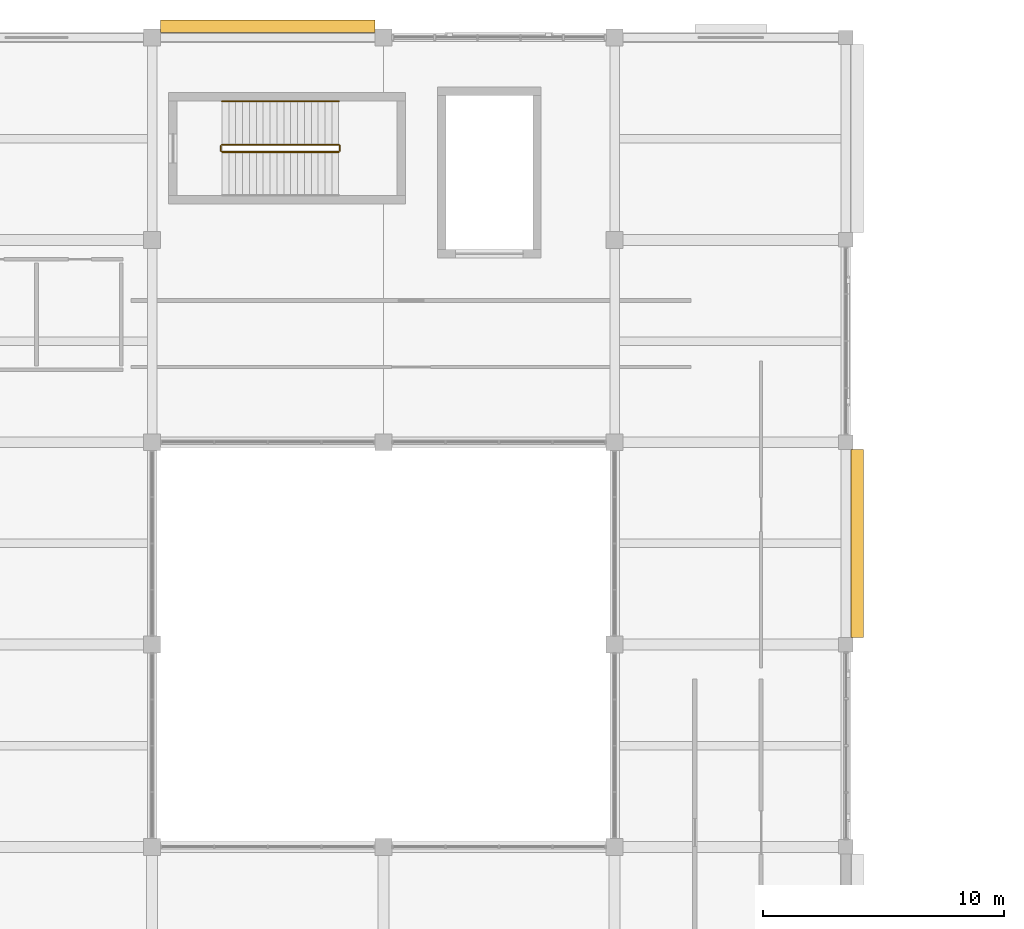
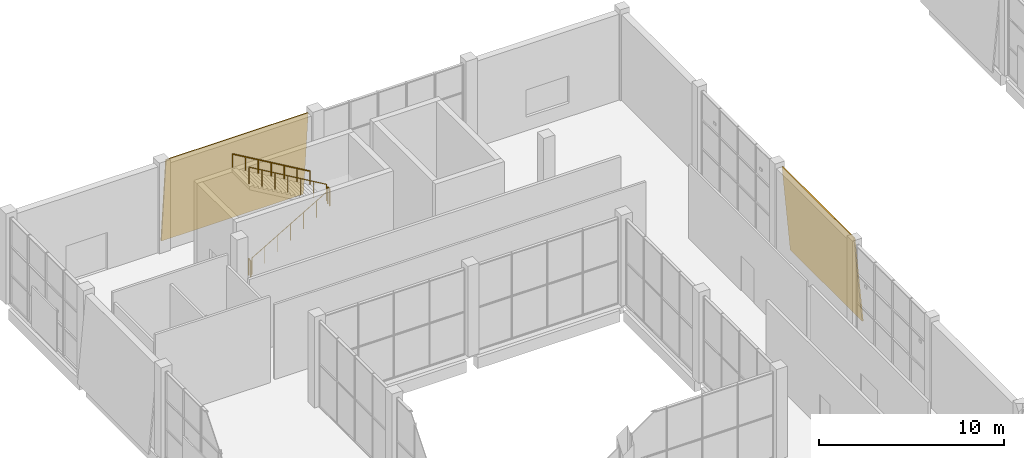
# One storey, part 76 of 84: 5 railings, 2 coverings.
"""IFC4 building model written with IfcOpenShell, lengths in metres."""

from ifc_helpers import new_model, si_unit, direction, frame, origin, origin_2d, place, context, subcontext, project, spatial, polyline, circle, outline, extrude, material, layer, layer_set, type_object, element, save


model = new_model("IFC4")

# Units and contexts
model_context = context("Model", 3, precision=1e-05, world=origin(), true_north=direction((0.0, 1.0)))
body_context = subcontext(model_context, "Body", "Model", "MODEL_VIEW")
ifc_project = project(units=[si_unit("LENGTHUNIT", "METRE"), si_unit("AREAUNIT", "SQUARE_METRE"), si_unit("VOLUMEUNIT", "CUBIC_METRE"), si_unit("PLANEANGLEUNIT", "RADIAN"), si_unit("MASSUNIT", "GRAM", prefix="KILO")], contexts=[model_context])

# Site, building, storey
site_placement = place(None, origin())
site = spatial("IfcSite", under=ifc_project, at=site_placement, CompositionType="ELEMENT")
building_placement = place(site_placement, origin())
building = spatial("IfcBuilding", under=site, at=building_placement, Name="Shalvenor Court Art Gallery", CompositionType="ELEMENT")
storey_placement = place(building_placement, origin())
storey = spatial("IfcBuildingStorey", under=building, at=storey_placement, Name="L00", CompositionType="ELEMENT", Elevation=0.0)

# Coverings
ifc_material_1 = material(Name="Honed Jerusalem limestone cladding", Category="masonry")
ifc_layer = layer(ifc_material_1, 0.06494140625, Name="Honed Jerusalem limestone cladding")
ifc_layer_set = layer_set([ifc_layer], Name="Honed Jerusalem limestone cladding")
covering_type = type_object("IfcCoveringType", Name="CLD-02", PredefinedType="CLADDING", material=ifc_layer_set)
covering_1_placement = place(storey_placement, frame((18.85009765625, 123.126953125, 0.0), z_axis=(0.0, 0.0, 1.0), x_axis=(-1.0, 0.0, 0.0)))
element("IfcCovering", 1, at=covering_1_placement, inside=storey, type_object=covering_type, Name="L00 V5 Tapered Limestone Cladding 93", PredefinedType="CLADDING", context=body_context, shape_type="SweptSolid", body=[
    extrude(outline(polyline([(0.0, 0.0), (8.900146484375, 0.0), (8.900146484375, 5.703369140625), (0.0, 5.703369140625), (0.0, 0.0)])), frame((0.0, 0.0, 0.0), z_axis=(0.0, -0.995884398616, 0.090632580198), x_axis=(1.0, 0.0, 0.0)), (0.0, 0.090632580198, -0.995884398616), 0.080322265625),
])
covering_2_placement = place(storey_placement, frame((39.126953125, 97.5, 0.0), z_axis=(0.0, 0.0, 1.0), x_axis=(0.0, 1.0, 0.0)))
element("IfcCovering", 2, at=covering_2_placement, inside=storey, type_object=covering_type, Name="L00 V5 Tapered Limestone Cladding 95", PredefinedType="CLADDING", context=body_context, shape_type="SweptSolid", body=[
    extrude(outline(polyline([(0.0, 0.0), (7.800048828125, 0.0), (7.800048828125, 5.703369140625), (0.0, 5.703369140625), (0.0, 0.0)])), frame((0.0, 0.0, 0.0), z_axis=(0.0, -0.995884398616, 0.090632580198), x_axis=(1.0, 0.0, 0.0)), (0.0, 0.090632580198, -0.995884398616), 0.080322265625),
])

# Railings
ifc_material_2 = material(Name="Painted steel post-and-rail guard", Category="steel")
railing_type_1 = type_object("IfcRailingType", Name="GR-02", PredefinedType="GUARDRAIL", material=ifc_material_2)
railing_1_placement = place(storey_placement, frame((12.5, 117.64990234375, 0.166748046875)))
element("IfcRailing", 3, at=railing_1_placement, inside=storey, type_object=railing_type_1, Name="L00 ST-06 Stair Guard 1", PredefinedType="GUARDRAIL", context=body_context, shape_type="SweptSolid", body=[
    extrude(circle(Radius=0.02392578125, at=origin_2d()), frame((0.0, 0.0, 1.09619140625), z_axis=(0.863234098208, 0.0, 0.504803815052), x_axis=(0.0, 1.0, 0.0)), (0.0, 0.0, 1.0), 5.612548828125),
    extrude(circle(Radius=0.02099609375, at=origin_2d()), origin(), (0.0, 0.0, 1.0), 1.072021484375),
    extrude(circle(Radius=0.02099609375, at=origin_2d()), frame((0.8076171875, 0.0, 0.47216796875)), (0.0, 0.0, 1.0), 1.072021484375),
    extrude(circle(Radius=0.02099609375, at=origin_2d()), frame((1.614990234375, 0.0, 0.9443359375)), (0.0, 0.0, 1.0), 1.072021484375),
    extrude(circle(Radius=0.02099609375, at=origin_2d()), frame((2.42236328125, 0.0, 1.41650390625)), (0.0, 0.0, 1.0), 1.072021484375),
    extrude(circle(Radius=0.02099609375, at=origin_2d()), frame((3.22998046875, 0.0, 1.888916015625)), (0.0, 0.0, 1.0), 1.072021484375),
    extrude(circle(Radius=0.02099609375, at=origin_2d()), frame((4.03759765625, 0.0, 2.361083984375)), (0.0, 0.0, 1.0), 1.072021484375),
    extrude(circle(Radius=0.02099609375, at=origin_2d()), frame((4.844970703125, 0.0, 2.833251953125)), (0.0, 0.0, 1.0), 1.072021484375),
])
railing_2_placement = place(storey_placement, frame((17.39501953125, 117.699951171875, 3.0)))
element("IfcRailing", 4, at=railing_2_placement, inside=storey, type_object=railing_type_1, Name="L00 ST-06 Stair Guard 2", PredefinedType="GUARDRAIL", context=body_context, shape_type="SweptSolid", body=[
    extrude(circle(Radius=0.02392578125, at=origin_2d()), frame((0.0, 0.0, 1.09619140625), z_axis=(0.0, 1.0, 0.0), x_axis=(-1.0, 0.0, 0.0)), (0.0, 0.0, 1.0), 0.199951171875),
    extrude(circle(Radius=0.02099609375, at=origin_2d()), origin(), (0.0, 0.0, 1.0), 1.072021484375),
    extrude(circle(Radius=0.02099609375, at=origin_2d()), frame((0.0, 0.199951171875, 0.0)), (0.0, 0.0, 1.0), 1.072021484375),
])
railing_3_placement = place(storey_placement, frame((17.344970703125, 117.949951171875, 3.166748046875)))
element("IfcRailing", 5, at=railing_3_placement, inside=storey, type_object=railing_type_1, Name="L00 ST-06 Stair Guard 3", PredefinedType="GUARDRAIL", context=body_context, shape_type="SweptSolid", body=[
    extrude(circle(Radius=0.02392578125, at=origin_2d()), frame((0.0, 0.0, 1.09619140625), z_axis=(-0.863234098208, 0.0, 0.504803815052), x_axis=(0.0, -1.0, 0.0)), (0.0, 0.0, 1.0), 5.612548828125),
    extrude(circle(Radius=0.02099609375, at=origin_2d()), origin(), (0.0, 0.0, 1.0), 1.072021484375),
    extrude(circle(Radius=0.02099609375, at=origin_2d()), frame((-0.8076171875, 0.0, 0.47216796875)), (0.0, 0.0, 1.0), 1.072021484375),
    extrude(circle(Radius=0.02099609375, at=origin_2d()), frame((-1.614990234375, 0.0, 0.9443359375)), (0.0, 0.0, 1.0), 1.072021484375),
    extrude(circle(Radius=0.02099609375, at=origin_2d()), frame((-2.42236328125, 0.0, 1.41650390625)), (0.0, 0.0, 1.0), 1.072021484375),
    extrude(circle(Radius=0.02099609375, at=origin_2d()), frame((-3.22998046875, 0.0, 1.888916015625)), (0.0, 0.0, 1.0), 1.072021484375),
    extrude(circle(Radius=0.02099609375, at=origin_2d()), frame((-4.03759765625, 0.0, 2.361083984375)), (0.0, 0.0, 1.0), 1.072021484375),
    extrude(circle(Radius=0.02099609375, at=origin_2d()), frame((-4.844970703125, 0.0, 2.833251953125)), (0.0, 0.0, 1.0), 1.072021484375),
])
railing_4_placement = place(storey_placement, frame((12.449951171875, 117.699951171875, 0.0)))
element("IfcRailing", 6, at=railing_4_placement, inside=storey, type_object=railing_type_1, Name="L00 ST-06 Stair Guard 4", PredefinedType="GUARDRAIL", context=body_context, shape_type="SweptSolid", body=[
    extrude(circle(Radius=0.02392578125, at=origin_2d()), frame((0.0, 0.0, 1.09619140625), z_axis=(0.0, 1.0, 0.0), x_axis=(-1.0, 0.0, 0.0)), (0.0, 0.0, 1.0), 0.199951171875),
    extrude(circle(Radius=0.02099609375, at=origin_2d()), origin(), (0.0, 0.0, 1.0), 1.072021484375),
    extrude(circle(Radius=0.02099609375, at=origin_2d()), frame((0.0, 0.199951171875, 0.0)), (0.0, 0.0, 1.0), 1.072021484375),
])
ifc_material_3 = material(Name="Brushed stainless steel handrail", Category="steel")
railing_type_2 = type_object("IfcRailingType", Name="HR-01", PredefinedType="HANDRAIL", material=ifc_material_3)
railing_5_placement = place(storey_placement, frame((17.344970703125, 119.75, 3.166748046875)))
element("IfcRailing", 7, at=railing_5_placement, inside=storey, type_object=railing_type_2, Name="L00 ST-06 Stair Handrail 2", PredefinedType="HANDRAIL", context=body_context, shape_type="SweptSolid", body=[
    extrude(circle(Radius=0.02392578125, at=origin_2d()), frame((0.0, 0.0, 0.8759765625), z_axis=(-0.863234098208, 0.0, 0.504803815052), x_axis=(0.0, -1.0, 0.0)), (0.0, 0.0, 1.0), 5.612548828125),
    extrude(circle(Radius=0.02099609375, at=origin_2d()), origin(), (0.0, 0.0, 1.0), 0.851806640625),
    extrude(circle(Radius=0.02099609375, at=origin_2d()), frame((-0.8076171875, 0.0, 0.47216796875)), (0.0, 0.0, 1.0), 0.851806640625),
    extrude(circle(Radius=0.02099609375, at=origin_2d()), frame((-1.614990234375, 0.0, 0.9443359375)), (0.0, 0.0, 1.0), 0.851806640625),
    extrude(circle(Radius=0.02099609375, at=origin_2d()), frame((-2.42236328125, 0.0, 1.41650390625)), (0.0, 0.0, 1.0), 0.851806640625),
    extrude(circle(Radius=0.02099609375, at=origin_2d()), frame((-3.22998046875, 0.0, 1.888916015625)), (0.0, 0.0, 1.0), 0.851806640625),
    extrude(circle(Radius=0.02099609375, at=origin_2d()), frame((-4.03759765625, 0.0, 2.361083984375)), (0.0, 0.0, 1.0), 0.851806640625),
    extrude(circle(Radius=0.02099609375, at=origin_2d()), frame((-4.844970703125, 0.0, 2.833251953125)), (0.0, 0.0, 1.0), 0.851806640625),
])

save(model, "model.ifc")
